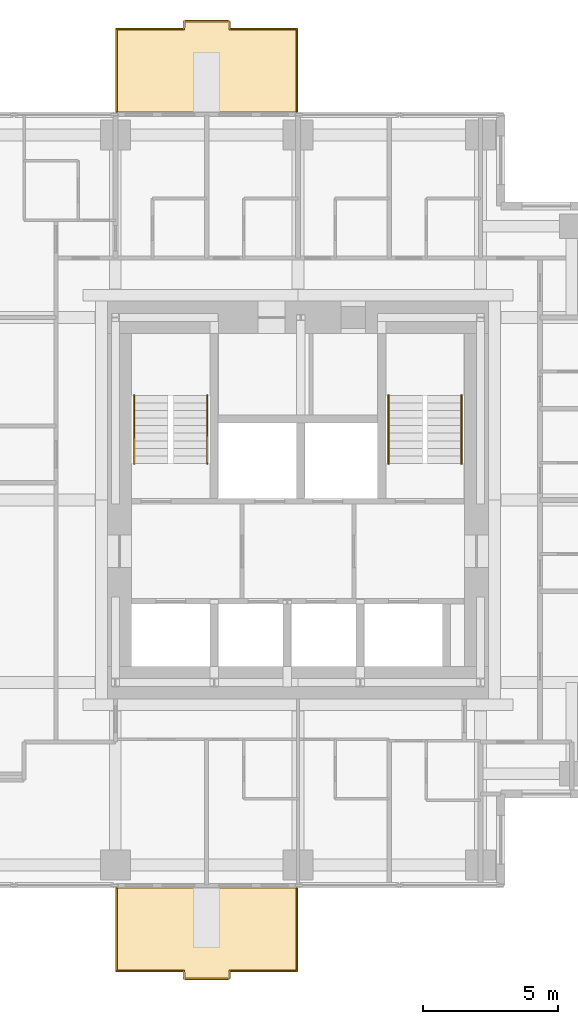
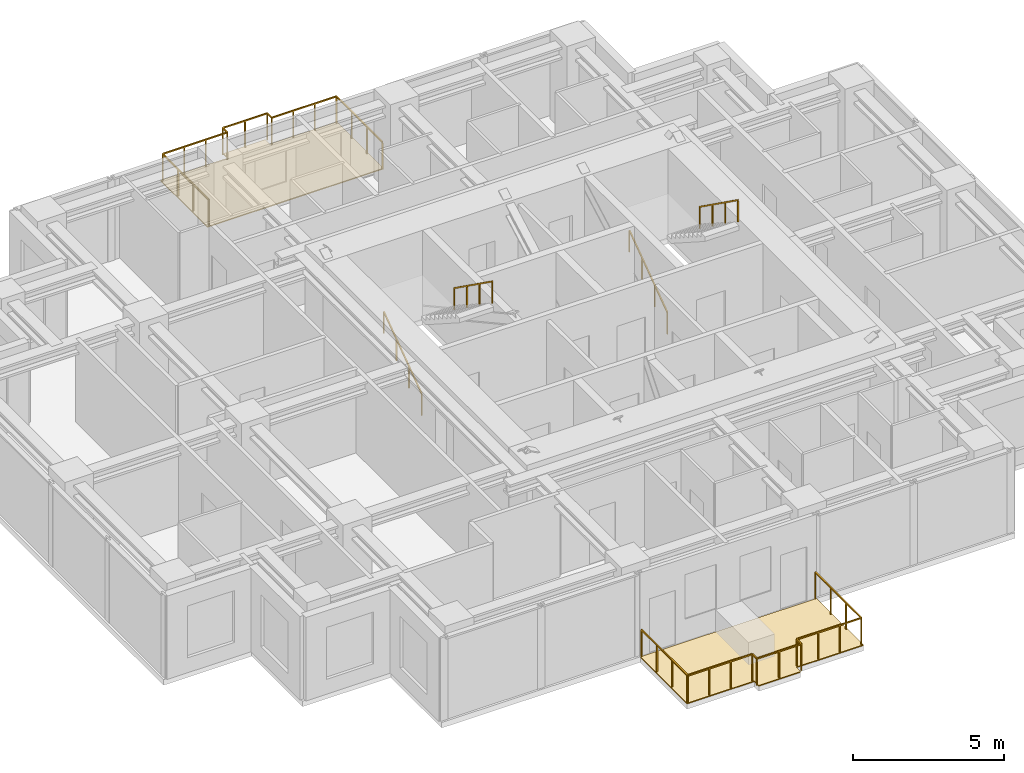
# One storey, part 8 of 8: 6 railings, 2 coverings.
"""IFC4 building model written with IfcOpenShell, lengths in metres."""

from ifc_helpers import new_model, si_unit, direction, frame, origin, origin_2d, place, context, subcontext, project, spatial, polyline, rectangle, outline, extrude, material, layer, layer_set, type_object, element, save


model = new_model("IFC4")

# Units and contexts
model_context = context("Model", 3, precision=1e-05, world=origin(), true_north=direction((0.0, 1.0)))
body_context = subcontext(model_context, "Body", "Model", "MODEL_VIEW")
ifc_project = project(units=[si_unit("LENGTHUNIT", "METRE"), si_unit("AREAUNIT", "SQUARE_METRE"), si_unit("VOLUMEUNIT", "CUBIC_METRE"), si_unit("PLANEANGLEUNIT", "RADIAN"), si_unit("MASSUNIT", "GRAM", prefix="KILO")], contexts=[model_context])

# Site, building, storey
site_placement = place(None, origin())
site = spatial("IfcSite", under=ifc_project, at=site_placement, CompositionType="ELEMENT")
building_placement = place(site_placement, origin())
building = spatial("IfcBuilding", under=site, at=building_placement, Name="Nyansa Garden Tower", CompositionType="ELEMENT")
storey_placement = place(building_placement, frame((0.0, 0.0, 211.5)))
storey = spatial("IfcBuildingStorey", under=building, at=storey_placement, Name="L57", CompositionType="ELEMENT", Elevation=211.5)

# Coverings
ifc_material_1 = material(Name="Hardwood decking on pedestals", Category="wood")
ifc_layer = layer(ifc_material_1, 0.0400390625)
ifc_layer_set = layer_set([ifc_layer], Name="Balcony decking DK40")
covering_type = type_object("IfcCoveringType", Name="Balcony decking DK40", PredefinedType="FLOORING", material=ifc_layer_set)
covering_1_placement = place(storey_placement, frame((0.0, 0.0, -0.0400390625)))
element("IfcCovering", 1, at=covering_1_placement, inside=storey, type_object=covering_type, Name="Balcony decking L57", PredefinedType="FLOORING", context=body_context, shape_type="SweptSolid", body=[
    extrude(outline(polyline([(13.5, 5.89990234375), (20.25, 5.89990234375), (20.25, 2.800048828125), (17.675048828125, 2.800048828125), (17.675048828125, 2.5), (16.074951171875, 2.5), (16.074951171875, 2.800048828125), (13.5, 2.800048828125), (13.5, 5.89990234375)])), origin(), (0.0, 0.0, 1.0), 0.0400390625),
])
covering_2_placement = place(storey_placement, frame((0.0, 0.0, -0.0400390625)))
element("IfcCovering", 2, at=covering_2_placement, inside=storey, type_object=covering_type, Name="Balcony decking L57", PredefinedType="FLOORING", context=body_context, shape_type="SweptSolid", body=[
    extrude(outline(polyline([(13.5, 34.60009765625), (20.25, 34.60009765625), (20.25, 37.699951171875), (17.675048828125, 37.699951171875), (17.675048828125, 38.0), (16.074951171875, 38.0), (16.074951171875, 37.699951171875), (13.5, 37.699951171875), (13.5, 34.60009765625)])), origin(), (0.0, 0.0, 1.0), 0.0400390625),
])

# Railings
ifc_material_2 = material(Name="Black powder-coated steel balusters, laminated glass infill", Category="steel")
railing_type_1 = type_object("IfcRailingType", Name="Balcony guard G1", PredefinedType="GUARDRAIL", material=ifc_material_2)
railing_1_placement = place(storey_placement, frame((13.550048828125, 5.89990234375, 0.0)))
element("IfcRailing", 3, at=railing_1_placement, inside=storey, type_object=railing_type_1, Name="Balcony guard L57", PredefinedType="GUARDRAIL", context=body_context, shape_type="SweptSolid", body=[
    extrude(rectangle(XDim=0.048095703125, YDim=0.048095703125, at=origin_2d()), frame((0.0, 0.0, 1.076171875), z_axis=(0.0, -1.0, 0.0), x_axis=(1.0, 0.0, 0.0)), (0.0, 0.0, 1.0), 3.0498046875),
    extrude(rectangle(XDim=0.048095703125, YDim=0.048095703125, at=origin_2d()), frame((0.0, -3.0498046875, 1.076171875), z_axis=(1.0, 0.0, 0.0), x_axis=(0.0, 1.0, 0.0)), (0.0, 0.0, 1.0), 2.474853515625),
    extrude(rectangle(XDim=0.048095703125, YDim=0.048095703125, at=origin_2d()), frame((2.474853515625, -3.0498046875, 1.076171875), z_axis=(0.0, -1.0, 0.0), x_axis=(1.0, 0.0, 0.0)), (0.0, 0.0, 1.0), 0.300048828125),
    extrude(rectangle(XDim=0.048095703125, YDim=0.048095703125, at=origin_2d()), frame((2.474853515625, -3.349853515625, 1.076171875), z_axis=(1.0, 0.0, 0.0), x_axis=(0.0, 1.0, 0.0)), (0.0, 0.0, 1.0), 1.7001953125),
    extrude(rectangle(XDim=0.048095703125, YDim=0.048095703125, at=origin_2d()), frame((4.175048828125, -3.349853515625, 1.076171875), z_axis=(0.0, 1.0, 0.0), x_axis=(-1.0, 0.0, 0.0)), (0.0, 0.0, 1.0), 0.300048828125),
    extrude(rectangle(XDim=0.048095703125, YDim=0.048095703125, at=origin_2d()), frame((4.175048828125, -3.0498046875, 1.076171875), z_axis=(1.0, 0.0, 0.0), x_axis=(0.0, 1.0, 0.0)), (0.0, 0.0, 1.0), 2.474853515625),
    extrude(rectangle(XDim=0.048095703125, YDim=0.048095703125, at=origin_2d()), frame((6.64990234375, -3.0498046875, 1.076171875), z_axis=(0.0, 1.0, 0.0), x_axis=(-1.0, 0.0, 0.0)), (0.0, 0.0, 1.0), 3.0498046875),
    extrude(rectangle(XDim=0.0419921875, YDim=0.0419921875, at=origin_2d()), origin(), (0.0, 0.0, 1.0), 1.052001953125),
    extrude(rectangle(XDim=0.0419921875, YDim=0.0419921875, at=origin_2d()), frame((0.0, -1.0166015625, 0.0)), (0.0, 0.0, 1.0), 1.052001953125),
    extrude(rectangle(XDim=0.0419921875, YDim=0.0419921875, at=origin_2d()), frame((0.0, -2.033203125, 0.0)), (0.0, 0.0, 1.0), 1.052001953125),
    extrude(rectangle(XDim=0.0419921875, YDim=0.0419921875, at=origin_2d()), frame((0.0, -3.0498046875, 0.0)), (0.0, 0.0, 1.0), 1.052001953125),
    extrude(rectangle(XDim=0.0419921875, YDim=0.0419921875, at=origin_2d()), frame((0.824951171875, -3.0498046875, 0.0)), (0.0, 0.0, 1.0), 1.052001953125),
    extrude(rectangle(XDim=0.0419921875, YDim=0.0419921875, at=origin_2d()), frame((1.64990234375, -3.0498046875, 0.0)), (0.0, 0.0, 1.0), 1.052001953125),
    extrude(rectangle(XDim=0.0419921875, YDim=0.0419921875, at=origin_2d()), frame((2.474853515625, -3.0498046875, 0.0)), (0.0, 0.0, 1.0), 1.052001953125),
    extrude(rectangle(XDim=0.0419921875, YDim=0.0419921875, at=origin_2d()), frame((2.474853515625, -3.349853515625, 0.0)), (0.0, 0.0, 1.0), 1.052001953125),
    extrude(rectangle(XDim=0.0419921875, YDim=0.0419921875, at=origin_2d()), frame((3.324951171875, -3.349853515625, 0.0)), (0.0, 0.0, 1.0), 1.052001953125),
    extrude(rectangle(XDim=0.0419921875, YDim=0.0419921875, at=origin_2d()), frame((4.175048828125, -3.349853515625, 0.0)), (0.0, 0.0, 1.0), 1.052001953125),
    extrude(rectangle(XDim=0.0419921875, YDim=0.0419921875, at=origin_2d()), frame((4.175048828125, -3.0498046875, 0.0)), (0.0, 0.0, 1.0), 1.052001953125),
    extrude(rectangle(XDim=0.0419921875, YDim=0.0419921875, at=origin_2d()), frame((5.0, -3.0498046875, 0.0)), (0.0, 0.0, 1.0), 1.052001953125),
    extrude(rectangle(XDim=0.0419921875, YDim=0.0419921875, at=origin_2d()), frame((5.824951171875, -3.0498046875, 0.0)), (0.0, 0.0, 1.0), 1.052001953125),
    extrude(rectangle(XDim=0.0419921875, YDim=0.0419921875, at=origin_2d()), frame((6.64990234375, -3.0498046875, 0.0)), (0.0, 0.0, 1.0), 1.052001953125),
    extrude(rectangle(XDim=0.0419921875, YDim=0.0419921875, at=origin_2d()), frame((6.64990234375, -2.033203125, 0.0)), (0.0, 0.0, 1.0), 1.052001953125),
    extrude(rectangle(XDim=0.0419921875, YDim=0.0419921875, at=origin_2d()), frame((6.64990234375, -1.0166015625, 0.0)), (0.0, 0.0, 1.0), 1.052001953125),
    extrude(rectangle(XDim=0.0419921875, YDim=0.0419921875, at=origin_2d()), frame((6.64990234375, 0.0, 0.0)), (0.0, 0.0, 1.0), 1.052001953125),
])
railing_2_placement = place(storey_placement, frame((13.550048828125, 34.60009765625, 0.0)))
element("IfcRailing", 4, at=railing_2_placement, inside=storey, type_object=railing_type_1, Name="Balcony guard L57", PredefinedType="GUARDRAIL", context=body_context, shape_type="SweptSolid", body=[
    extrude(rectangle(XDim=0.048095703125, YDim=0.048095703125, at=origin_2d()), frame((0.0, 0.0, 1.076171875), z_axis=(0.0, 1.0, 0.0), x_axis=(-1.0, 0.0, 0.0)), (0.0, 0.0, 1.0), 3.0498046875),
    extrude(rectangle(XDim=0.048095703125, YDim=0.048095703125, at=origin_2d()), frame((0.0, 3.0498046875, 1.076171875), z_axis=(1.0, 0.0, 0.0), x_axis=(0.0, 1.0, 0.0)), (0.0, 0.0, 1.0), 2.474853515625),
    extrude(rectangle(XDim=0.048095703125, YDim=0.048095703125, at=origin_2d()), frame((2.474853515625, 3.0498046875, 1.076171875), z_axis=(0.0, 1.0, 0.0), x_axis=(-1.0, 0.0, 0.0)), (0.0, 0.0, 1.0), 0.300048828125),
    extrude(rectangle(XDim=0.048095703125, YDim=0.048095703125, at=origin_2d()), frame((2.474853515625, 3.349853515625, 1.076171875), z_axis=(1.0, 0.0, 0.0), x_axis=(0.0, 1.0, 0.0)), (0.0, 0.0, 1.0), 1.7001953125),
    extrude(rectangle(XDim=0.048095703125, YDim=0.048095703125, at=origin_2d()), frame((4.175048828125, 3.349853515625, 1.076171875), z_axis=(0.0, -1.0, 0.0), x_axis=(1.0, 0.0, 0.0)), (0.0, 0.0, 1.0), 0.300048828125),
    extrude(rectangle(XDim=0.048095703125, YDim=0.048095703125, at=origin_2d()), frame((4.175048828125, 3.0498046875, 1.076171875), z_axis=(1.0, 0.0, 0.0), x_axis=(0.0, 1.0, 0.0)), (0.0, 0.0, 1.0), 2.474853515625),
    extrude(rectangle(XDim=0.048095703125, YDim=0.048095703125, at=origin_2d()), frame((6.64990234375, 3.0498046875, 1.076171875), z_axis=(0.0, -1.0, 0.0), x_axis=(1.0, 0.0, 0.0)), (0.0, 0.0, 1.0), 3.0498046875),
    extrude(rectangle(XDim=0.0419921875, YDim=0.0419921875, at=origin_2d()), origin(), (0.0, 0.0, 1.0), 1.052001953125),
    extrude(rectangle(XDim=0.0419921875, YDim=0.0419921875, at=origin_2d()), frame((0.0, 1.0166015625, 0.0)), (0.0, 0.0, 1.0), 1.052001953125),
    extrude(rectangle(XDim=0.0419921875, YDim=0.0419921875, at=origin_2d()), frame((0.0, 2.033203125, 0.0)), (0.0, 0.0, 1.0), 1.052001953125),
    extrude(rectangle(XDim=0.0419921875, YDim=0.0419921875, at=origin_2d()), frame((0.0, 3.0498046875, 0.0)), (0.0, 0.0, 1.0), 1.052001953125),
    extrude(rectangle(XDim=0.0419921875, YDim=0.0419921875, at=origin_2d()), frame((0.824951171875, 3.0498046875, 0.0)), (0.0, 0.0, 1.0), 1.052001953125),
    extrude(rectangle(XDim=0.0419921875, YDim=0.0419921875, at=origin_2d()), frame((1.64990234375, 3.0498046875, 0.0)), (0.0, 0.0, 1.0), 1.052001953125),
    extrude(rectangle(XDim=0.0419921875, YDim=0.0419921875, at=origin_2d()), frame((2.474853515625, 3.0498046875, 0.0)), (0.0, 0.0, 1.0), 1.052001953125),
    extrude(rectangle(XDim=0.0419921875, YDim=0.0419921875, at=origin_2d()), frame((2.474853515625, 3.349853515625, 0.0)), (0.0, 0.0, 1.0), 1.052001953125),
    extrude(rectangle(XDim=0.0419921875, YDim=0.0419921875, at=origin_2d()), frame((3.324951171875, 3.349853515625, 0.0)), (0.0, 0.0, 1.0), 1.052001953125),
    extrude(rectangle(XDim=0.0419921875, YDim=0.0419921875, at=origin_2d()), frame((4.175048828125, 3.349853515625, 0.0)), (0.0, 0.0, 1.0), 1.052001953125),
    extrude(rectangle(XDim=0.0419921875, YDim=0.0419921875, at=origin_2d()), frame((4.175048828125, 3.0498046875, 0.0)), (0.0, 0.0, 1.0), 1.052001953125),
    extrude(rectangle(XDim=0.0419921875, YDim=0.0419921875, at=origin_2d()), frame((5.0, 3.0498046875, 0.0)), (0.0, 0.0, 1.0), 1.052001953125),
    extrude(rectangle(XDim=0.0419921875, YDim=0.0419921875, at=origin_2d()), frame((5.824951171875, 3.0498046875, 0.0)), (0.0, 0.0, 1.0), 1.052001953125),
    extrude(rectangle(XDim=0.0419921875, YDim=0.0419921875, at=origin_2d()), frame((6.64990234375, 3.0498046875, 0.0)), (0.0, 0.0, 1.0), 1.052001953125),
    extrude(rectangle(XDim=0.0419921875, YDim=0.0419921875, at=origin_2d()), frame((6.64990234375, 2.033203125, 0.0)), (0.0, 0.0, 1.0), 1.052001953125),
    extrude(rectangle(XDim=0.0419921875, YDim=0.0419921875, at=origin_2d()), frame((6.64990234375, 1.0166015625, 0.0)), (0.0, 0.0, 1.0), 1.052001953125),
    extrude(rectangle(XDim=0.0419921875, YDim=0.0419921875, at=origin_2d()), frame((6.64990234375, 0.0, 0.0)), (0.0, 0.0, 1.0), 1.052001953125),
])
ifc_material_3 = material(Name="Black powder-coated steel tube 48 mm", Category="steel")
railing_type_2 = type_object("IfcRailingType", Name="Stair handrail HR1", PredefinedType="HANDRAIL", material=ifc_material_3)
railing_3_placement = place(storey_placement, frame((14.199951171875, 21.60009765625, 0.0)))
element("IfcRailing", 5, at=railing_3_placement, inside=storey, type_object=railing_type_2, Name="Stair S1 handrail L57", PredefinedType="HANDRAIL", context=body_context, shape_type="SweptSolid", body=[
    extrude(rectangle(XDim=0.048095703125, YDim=0.048095703125, at=origin_2d()), frame((0.0, 0.0, 0.8759765625), z_axis=(0.0, 0.813728144527, 0.581245650998), x_axis=(-1.0, 0.0, 0.0)), (0.0, 0.0, 1.0), 3.096923828125),
    extrude(rectangle(XDim=0.0419921875, YDim=0.0419921875, at=origin_2d()), origin(), (0.0, 0.0, 1.0), 0.851806640625),
    extrude(rectangle(XDim=0.0419921875, YDim=0.0419921875, at=origin_2d()), frame((0.0, 0.840087890625, 0.60009765625)), (0.0, 0.0, 1.0), 0.851806640625),
    extrude(rectangle(XDim=0.0419921875, YDim=0.0419921875, at=origin_2d()), frame((0.0, 1.679931640625, 1.199951171875)), (0.0, 0.0, 1.0), 0.851806640625),
    extrude(rectangle(XDim=0.0419921875, YDim=0.0419921875, at=origin_2d()), frame((0.0, 2.52001953125, 1.800048828125)), (0.0, 0.0, 1.0), 0.851806640625),
])
railing_4_placement = place(storey_placement, frame((16.89990234375, 24.1201171875, 1.800048828125)))
element("IfcRailing", 6, at=railing_4_placement, inside=storey, type_object=railing_type_2, Name="Stair S1 handrail L57", PredefinedType="HANDRAIL", context=body_context, shape_type="SweptSolid", body=[
    extrude(rectangle(XDim=0.048095703125, YDim=0.048095703125, at=origin_2d()), frame((0.0, 0.0, 0.8759765625), z_axis=(0.0, -0.813728144527, 0.581245650998), x_axis=(1.0, 0.0, 0.0)), (0.0, 0.0, 1.0), 3.096923828125),
    extrude(rectangle(XDim=0.0419921875, YDim=0.0419921875, at=origin_2d()), origin(), (0.0, 0.0, 1.0), 0.851806640625),
    extrude(rectangle(XDim=0.0419921875, YDim=0.0419921875, at=origin_2d()), frame((0.0, -0.840087890625, 0.60009765625)), (0.0, 0.0, 1.0), 0.851806640625),
    extrude(rectangle(XDim=0.0419921875, YDim=0.0419921875, at=origin_2d()), frame((0.0, -1.679931640625, 1.199951171875)), (0.0, 0.0, 1.0), 0.851806640625),
    extrude(rectangle(XDim=0.0419921875, YDim=0.0419921875, at=origin_2d()), frame((0.0, -2.52001953125, 1.800048828125)), (0.0, 0.0, 1.0), 0.851806640625),
])
railing_5_placement = place(storey_placement, frame((23.60009765625, 21.60009765625, 0.0)))
element("IfcRailing", 7, at=railing_5_placement, inside=storey, type_object=railing_type_2, Name="Stair S2 handrail L57", PredefinedType="HANDRAIL", context=body_context, shape_type="SweptSolid", body=[
    extrude(rectangle(XDim=0.048095703125, YDim=0.048095703125, at=origin_2d()), frame((0.0, 0.0, 0.8759765625), z_axis=(0.0, 0.813728144527, 0.581245650998), x_axis=(-1.0, 0.0, 0.0)), (0.0, 0.0, 1.0), 3.096923828125),
    extrude(rectangle(XDim=0.0419921875, YDim=0.0419921875, at=origin_2d()), origin(), (0.0, 0.0, 1.0), 0.851806640625),
    extrude(rectangle(XDim=0.0419921875, YDim=0.0419921875, at=origin_2d()), frame((0.0, 0.840087890625, 0.60009765625)), (0.0, 0.0, 1.0), 0.851806640625),
    extrude(rectangle(XDim=0.0419921875, YDim=0.0419921875, at=origin_2d()), frame((0.0, 1.679931640625, 1.199951171875)), (0.0, 0.0, 1.0), 0.851806640625),
    extrude(rectangle(XDim=0.0419921875, YDim=0.0419921875, at=origin_2d()), frame((0.0, 2.52001953125, 1.800048828125)), (0.0, 0.0, 1.0), 0.851806640625),
])
railing_6_placement = place(storey_placement, frame((26.300048828125, 24.1201171875, 1.800048828125)))
element("IfcRailing", 8, at=railing_6_placement, inside=storey, type_object=railing_type_2, Name="Stair S2 handrail L57", PredefinedType="HANDRAIL", context=body_context, shape_type="SweptSolid", body=[
    extrude(rectangle(XDim=0.048095703125, YDim=0.048095703125, at=origin_2d()), frame((0.0, 0.0, 0.8759765625), z_axis=(0.0, -0.813728144527, 0.581245650998), x_axis=(1.0, 0.0, 0.0)), (0.0, 0.0, 1.0), 3.096923828125),
    extrude(rectangle(XDim=0.0419921875, YDim=0.0419921875, at=origin_2d()), origin(), (0.0, 0.0, 1.0), 0.851806640625),
    extrude(rectangle(XDim=0.0419921875, YDim=0.0419921875, at=origin_2d()), frame((0.0, -0.840087890625, 0.60009765625)), (0.0, 0.0, 1.0), 0.851806640625),
    extrude(rectangle(XDim=0.0419921875, YDim=0.0419921875, at=origin_2d()), frame((0.0, -1.679931640625, 1.199951171875)), (0.0, 0.0, 1.0), 0.851806640625),
    extrude(rectangle(XDim=0.0419921875, YDim=0.0419921875, at=origin_2d()), frame((0.0, -2.52001953125, 1.800048828125)), (0.0, 0.0, 1.0), 0.851806640625),
])

save(model, "model.ifc")
